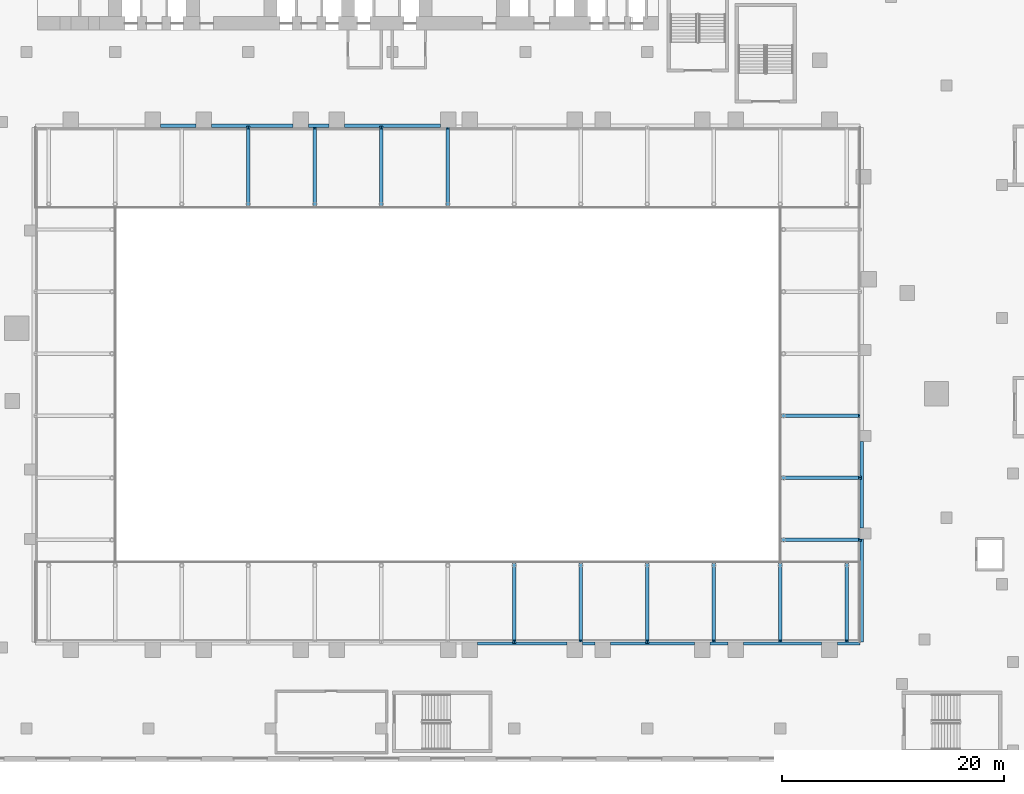
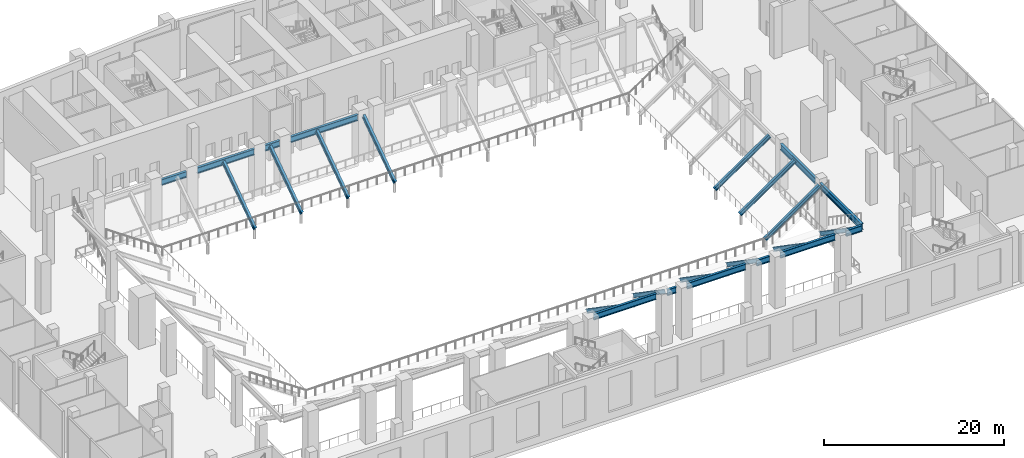
# One storey, part 12 of 41: 25 beams.
"""IFC4 building model written with IfcOpenShell, lengths in metres."""

from ifc_helpers import new_model, si_unit, direction, frame, origin, origin_2d, place, context, subcontext, project, spatial, i_section, extrude, material, material_profile, profile_set, type_object, element, save


model = new_model("IFC4")

# Units and contexts
model_context = context("Model", 3, precision=1e-05, world=origin(), true_north=direction((0.0, 1.0)))
body_context = subcontext(model_context, "Body", "Model", "MODEL_VIEW")
ifc_project = project(units=[si_unit("LENGTHUNIT", "METRE"), si_unit("AREAUNIT", "SQUARE_METRE"), si_unit("VOLUMEUNIT", "CUBIC_METRE"), si_unit("PLANEANGLEUNIT", "RADIAN"), si_unit("MASSUNIT", "GRAM", prefix="KILO")], contexts=[model_context])

# Site, building, storey
site_placement = place(None, origin())
site = spatial("IfcSite", under=ifc_project, at=site_placement, CompositionType="ELEMENT")
building_placement = place(site_placement, origin())
building = spatial("IfcBuilding", under=site, at=building_placement, Name="Wharfspan Tower", CompositionType="ELEMENT")
storey_placement = place(building_placement, frame((0.0, 0.0, 8.0)))
storey = spatial("IfcBuildingStorey", under=building, at=storey_placement, Name="L01", CompositionType="ELEMENT", Elevation=8.0)

# Beams
ifc_material = material(Name="Steel S460M", Category="steel")
ifc_material_profile_1 = material_profile(ifc_material, i_section(OverallWidth=0.305908, OverallDepth=0.523926, WebThickness=0.020996, FlangeThickness=0.040039, FilletRadius=0.0271, at=origin_2d()))
ifc_profile_set_1 = profile_set([ifc_material_profile_1], Name="Steel S460M")
beam_type_1 = type_object("IfcBeamType", Name="Raker beam HE 500 M", PredefinedType="BEAM", material=ifc_profile_set_1)
for number, where, z_axis, x_axis, name in (
    (1, (52.0, -14.148438, 1.384033), (0.0, -0.824029, 0.566547), (1.0, 0.0, 0.0), "Upper tier raker beam"),
    (2, (58.0, -14.148438, 1.384033), (0.0, -0.824029, 0.566547), (1.0, 0.0, 0.0), "Upper tier raker beam"),
    (3, (64.0, -14.148438, 1.384033), (0.0, -0.824029, 0.566547), (1.0, 0.0, 0.0), "Upper tier raker beam"),
    (4, (70.0, -14.148438, 1.384033), (0.0, -0.824029, 0.566547), (1.0, 0.0, 0.0), "Upper tier raker beam"),
    (5, (76.0, -14.148438, 1.384033), (0.0, -0.824029, 0.566547), (1.0, 0.0, 0.0), "Upper tier raker beam"),
    (6, (82.0, -14.148438, 1.384033), (0.0, -0.824029, 0.566547), (1.0, 0.0, 0.0), "Upper tier raker beam"),
    (7, (28.0, 18.148438, 1.384033), (0.0, 0.824029, 0.566547), (-1.0, 0.0, 0.0), "Upper tier raker beam"),
    (8, (34.0, 18.148438, 1.384033), (0.0, 0.824029, 0.566547), (-1.0, 0.0, 0.0), "Upper tier raker beam"),
    (9, (40.0, 18.148438, 1.384033), (0.0, 0.824029, 0.566547), (-1.0, 0.0, 0.0), "Upper tier raker beam"),
    (10, (46.0, 18.148438, 1.384033), (0.0, 0.824029, 0.566547), (-1.0, 0.0, 0.0), "Upper tier raker beam"),
    (11, (76.148438, -12.0, 1.384033), (0.824029, 0.0, 0.566547), (0.0, 1.0, 0.0), "Upper tier raker beam"),
    (12, (76.148438, -6.399902, 1.384033), (0.824029, 0.0, 0.566547), (0.0, 1.0, 0.0), "Upper tier raker beam"),
    (13, (76.148438, -0.800049, 1.384033), (0.824029, 0.0, 0.566547), (0.0, 1.0, 0.0), "Upper tier raker beam"),
):
    element("IfcBeam", number, at=place(storey_placement, frame(where, z_axis=z_axis, x_axis=x_axis)), inside=storey, type_object=beam_type_1, Name=name, PredefinedType="BEAM", context=body_context, shape_type="SweptSolid", body=[
        extrude(i_section(OverallWidth=0.305908, OverallDepth=0.523926, WebThickness=0.020996, FlangeThickness=0.040039, FilletRadius=0.0271, at=origin_2d()), origin(), (0.0, 0.0, 1.0), 8.557373),
    ])
ifc_material_profile_2 = material_profile(ifc_material, i_section(OverallWidth=0.302979, OverallDepth=0.813965, WebThickness=0.020996, FlangeThickness=0.040039, FilletRadius=0.030029, at=origin_2d()))
ifc_profile_set_2 = profile_set([ifc_material_profile_2], Name="Steel S460M")
beam_type_2 = type_object("IfcBeamType", Name="Ring girder HE 800 M", PredefinedType="BEAM", material=ifc_profile_set_2)
beam_1_placement = place(storey_placement, frame((48.699951, -21.351562, 6.143066), z_axis=(1.0, 0.0, 0.0), x_axis=(0.0, 1.0, 0.0)))
element("IfcBeam", 14, at=beam_1_placement, inside=storey, type_object=beam_type_2, Name="Ring girder of the upper tier", PredefinedType="BEAM", context=body_context, shape_type="SweptSolid", body=[
    extrude(i_section(OverallWidth=0.302979, OverallDepth=0.813965, WebThickness=0.020996, FlangeThickness=0.040039, FilletRadius=0.030029, at=origin_2d()), origin(), (0.0, 0.0, 1.0), 8.041992),
])
beam_2_placement = place(storey_placement, frame((58.14209, -21.351562, 6.143066), z_axis=(1.0, 0.0, 0.0), x_axis=(0.0, 1.0, 0.0)))
element("IfcBeam", 15, at=beam_2_placement, inside=storey, type_object=beam_type_2, Name="Ring girder of the upper tier", PredefinedType="BEAM", context=body_context, shape_type="SweptSolid", body=[
    extrude(i_section(OverallWidth=0.302979, OverallDepth=0.813965, WebThickness=0.020996, FlangeThickness=0.040039, FilletRadius=0.030029, at=origin_2d()), origin(), (0.0, 0.0, 1.0), 1.157959),
])
beam_3_placement = place(storey_placement, frame((60.699951, -21.351562, 6.143066), z_axis=(1.0, 0.0, 0.0), x_axis=(0.0, 1.0, 0.0)))
element("IfcBeam", 16, at=beam_3_placement, inside=storey, type_object=beam_type_2, Name="Ring girder of the upper tier", PredefinedType="BEAM", context=body_context, shape_type="SweptSolid", body=[
    extrude(i_section(OverallWidth=0.302979, OverallDepth=0.813965, WebThickness=0.020996, FlangeThickness=0.040039, FilletRadius=0.030029, at=origin_2d()), origin(), (0.0, 0.0, 1.0), 7.541992),
])
beam_4_placement = place(storey_placement, frame((69.64209, -21.351562, 6.143066), z_axis=(1.0, 0.0, 0.0), x_axis=(0.0, 1.0, 0.0)))
element("IfcBeam", 17, at=beam_4_placement, inside=storey, type_object=beam_type_2, Name="Ring girder of the upper tier", PredefinedType="BEAM", context=body_context, shape_type="SweptSolid", body=[
    extrude(i_section(OverallWidth=0.302979, OverallDepth=0.813965, WebThickness=0.020996, FlangeThickness=0.040039, FilletRadius=0.030029, at=origin_2d()), origin(), (0.0, 0.0, 1.0), 1.657959),
])
beam_5_placement = place(storey_placement, frame((72.699951, -21.351562, 6.143066), z_axis=(1.0, 0.0, 0.0), x_axis=(0.0, 1.0, 0.0)))
element("IfcBeam", 18, at=beam_5_placement, inside=storey, type_object=beam_type_2, Name="Ring girder of the upper tier", PredefinedType="BEAM", context=body_context, shape_type="SweptSolid", body=[
    extrude(i_section(OverallWidth=0.302979, OverallDepth=0.813965, WebThickness=0.020996, FlangeThickness=0.040039, FilletRadius=0.030029, at=origin_2d()), origin(), (0.0, 0.0, 1.0), 7.041992),
])
beam_6_placement = place(storey_placement, frame((81.14209, -21.351562, 6.143066), z_axis=(1.0, 0.0, 0.0), x_axis=(0.0, 1.0, 0.0)))
element("IfcBeam", 19, at=beam_6_placement, inside=storey, type_object=beam_type_2, Name="Ring girder of the upper tier", PredefinedType="BEAM", context=body_context, shape_type="SweptSolid", body=[
    extrude(i_section(OverallWidth=0.302979, OverallDepth=0.813965, WebThickness=0.020996, FlangeThickness=0.040039, FilletRadius=0.030029, at=origin_2d()), origin(), (0.0, 0.0, 1.0), 2.057861),
])
beam_7_placement = place(storey_placement, frame((20.091064, 25.351562, 6.143066), z_axis=(1.0, 0.0, 0.0), x_axis=(0.0, 1.0, 0.0)))
element("IfcBeam", 20, at=beam_7_placement, inside=storey, type_object=beam_type_2, Name="Ring girder of the upper tier", PredefinedType="BEAM", context=body_context, shape_type="SweptSolid", body=[
    extrude(i_section(OverallWidth=0.302979, OverallDepth=0.813965, WebThickness=0.020996, FlangeThickness=0.040039, FilletRadius=0.030029, at=origin_2d()), origin(), (0.0, 0.0, 1.0), 3.208984),
])
beam_8_placement = place(storey_placement, frame((24.699951, 25.351562, 6.143066), z_axis=(1.0, 0.0, 0.0), x_axis=(0.0, 1.0, 0.0)))
element("IfcBeam", 21, at=beam_8_placement, inside=storey, type_object=beam_type_2, Name="Ring girder of the upper tier", PredefinedType="BEAM", context=body_context, shape_type="SweptSolid", body=[
    extrude(i_section(OverallWidth=0.302979, OverallDepth=0.813965, WebThickness=0.020996, FlangeThickness=0.040039, FilletRadius=0.030029, at=origin_2d()), origin(), (0.0, 0.0, 1.0), 7.323975),
])
beam_9_placement = place(storey_placement, frame((33.424072, 25.351562, 6.143066), z_axis=(1.0, 0.0, 0.0), x_axis=(0.0, 1.0, 0.0)))
element("IfcBeam", 22, at=beam_9_placement, inside=storey, type_object=beam_type_2, Name="Ring girder of the upper tier", PredefinedType="BEAM", context=body_context, shape_type="SweptSolid", body=[
    extrude(i_section(OverallWidth=0.302979, OverallDepth=0.813965, WebThickness=0.020996, FlangeThickness=0.040039, FilletRadius=0.030029, at=origin_2d()), origin(), (0.0, 0.0, 1.0), 1.875977),
])
beam_10_placement = place(storey_placement, frame((36.699951, 25.351562, 6.143066), z_axis=(1.0, 0.0, 0.0), x_axis=(0.0, 1.0, 0.0)))
element("IfcBeam", 23, at=beam_10_placement, inside=storey, type_object=beam_type_2, Name="Ring girder of the upper tier", PredefinedType="BEAM", context=body_context, shape_type="SweptSolid", body=[
    extrude(i_section(OverallWidth=0.302979, OverallDepth=0.813965, WebThickness=0.020996, FlangeThickness=0.040039, FilletRadius=0.030029, at=origin_2d()), origin(), (0.0, 0.0, 1.0), 8.64209),
])
beam_11_placement = place(storey_placement, frame((83.351562, -21.199951, 6.143066), z_axis=(0.0, 1.0, 0.0), x_axis=(-1.0, 0.0, 0.0)))
element("IfcBeam", 24, at=beam_11_placement, inside=storey, type_object=beam_type_2, Name="Ring girder of the upper tier", PredefinedType="BEAM", context=body_context, shape_type="SweptSolid", body=[
    extrude(i_section(OverallWidth=0.302979, OverallDepth=0.813965, WebThickness=0.020996, FlangeThickness=0.040039, FilletRadius=0.030029, at=origin_2d()), origin(), (0.0, 0.0, 1.0), 9.280029),
])
beam_12_placement = place(storey_placement, frame((83.351562, -10.919922, 6.143066), z_axis=(0.0, 1.0, 0.0), x_axis=(-1.0, 0.0, 0.0)))
element("IfcBeam", 25, at=beam_12_placement, inside=storey, type_object=beam_type_2, Name="Ring girder of the upper tier", PredefinedType="BEAM", context=body_context, shape_type="SweptSolid", body=[
    extrude(i_section(OverallWidth=0.302979, OverallDepth=0.813965, WebThickness=0.020996, FlangeThickness=0.040039, FilletRadius=0.030029, at=origin_2d()), origin(), (0.0, 0.0, 1.0), 7.780029),
])

save(model, "model.ifc")
